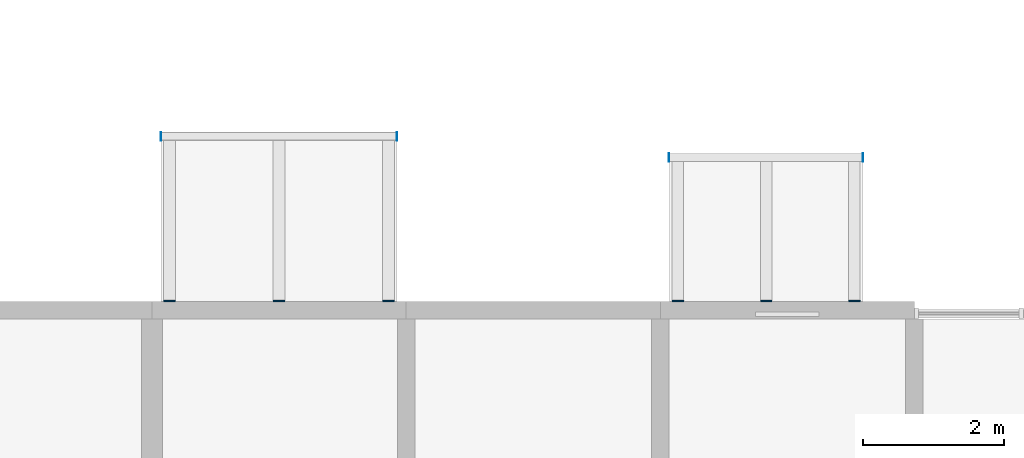
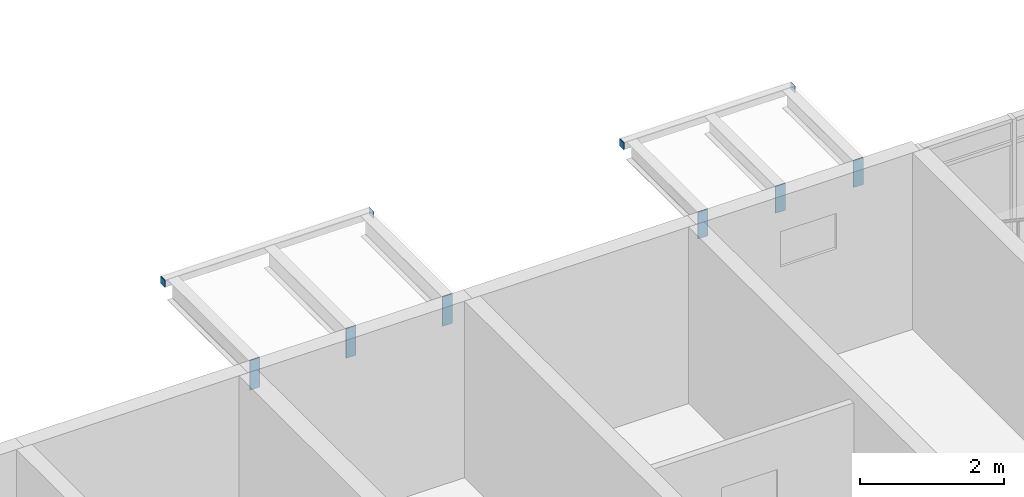
# One storey, part 89 of 122: 10 discrete accessories.
"""IFC4 building model written with IfcOpenShell, lengths in metres."""

from ifc_helpers import new_model, si_unit, direction, frame, origin, origin_2d, place, context, subcontext, project, spatial, rectangle, extrude, material, layer, layer_set, type_object, element, save


model = new_model("IFC4")

# Units and contexts
model_context = context("Model", 3, precision=1e-05, world=origin(), true_north=direction((0.0, 1.0)))
body_context = subcontext(model_context, "Body", "Model", "MODEL_VIEW")
ifc_project = project(units=[si_unit("LENGTHUNIT", "METRE"), si_unit("AREAUNIT", "SQUARE_METRE"), si_unit("VOLUMEUNIT", "CUBIC_METRE"), si_unit("PLANEANGLEUNIT", "RADIAN"), si_unit("MASSUNIT", "GRAM", prefix="KILO")], contexts=[model_context])

# Site, building, storey
site_placement = place(None, origin())
site = spatial("IfcSite", under=ifc_project, at=site_placement, CompositionType="ELEMENT")
building_placement = place(site_placement, origin())
building = spatial("IfcBuilding", under=site, at=building_placement, Name="Ridgestep Commons", CompositionType="ELEMENT")
storey_placement = place(building_placement, frame((0.0, 0.0, 3.0)))
storey = spatial("IfcBuildingStorey", under=building, at=storey_placement, Name="L01", CompositionType="ELEMENT", Elevation=3.0)

# Discrete accessories
ifc_material_1 = material(Name="Weathering steel S355J2W", Category="steel")
ifc_layer_1 = layer(ifc_material_1, 0.014892578125)
ifc_layer_set_1 = layer_set([ifc_layer_1], Name="Tray bracket plate 15")
discrete_accessory_type_1 = type_object("IfcDiscreteAccessoryType", Name="Tray bracket plate 15", PredefinedType="BRACKET", material=ifc_layer_set_1)
for number, where, z_axis, x_axis, name in (
    (1, (62.64990234375, 23.007568359375, 2.488525390625), (0.0, 0.0, 1.0), (1.0, 0.0, 0.0), "Tray bracket A4T1-02.1"),
    (2, (64.199951171875, 23.007568359375, 2.488525390625), (0.0, 0.0, 1.0), (1.0, 0.0, 0.0), "Tray bracket A4T1-02.2"),
    (3, (65.75, 23.007568359375, 2.488525390625), (0.0, 0.0, 1.0), (1.0, 0.0, 0.0), "Tray bracket A4T1-02.3"),
):
    element("IfcDiscreteAccessory", number, at=place(storey_placement, frame(where, z_axis=z_axis, x_axis=x_axis)), inside=storey, type_object=discrete_accessory_type_1, Name=name, PredefinedType="BRACKET", context=body_context, shape_type="SweptSolid", body=[
        extrude(rectangle(XDim=0.159912109375, YDim=0.014892578125, at=origin_2d()), origin(), (0.0, 0.0, 1.0), 0.50146484375),
    ])
for number, where, z_axis, x_axis, name in (
    (4, (69.85009765625, 23.007568359375, 2.53662109375), (0.0, 0.0, 1.0), (1.0, 0.0, 0.0), "Tray bracket A4T3-02.1"),
    (5, (71.10009765625, 23.007568359375, 2.53662109375), (0.0, 0.0, 1.0), (1.0, 0.0, 0.0), "Tray bracket A4T3-02.2"),
    (6, (72.35009765625, 23.007568359375, 2.53662109375), (0.0, 0.0, 1.0), (1.0, 0.0, 0.0), "Tray bracket A4T3-02.3"),
):
    element("IfcDiscreteAccessory", number, at=place(storey_placement, frame(where, z_axis=z_axis, x_axis=x_axis)), inside=storey, type_object=discrete_accessory_type_1, Name=name, PredefinedType="BRACKET", context=body_context, shape_type="SweptSolid", body=[
        extrude(rectangle(XDim=0.159912109375, YDim=0.014892578125, at=origin_2d()), origin(), (0.0, 0.0, 1.0), 0.453369140625),
    ])
ifc_material_2 = material(Name="Weathering steel S355J2W", Category="steel")
ifc_layer_2 = layer(ifc_material_2, 0.008056640625)
ifc_layer_set_2 = layer_set([ifc_layer_2], Name="Tray edge member end plate 120 x 120 x 8")
discrete_accessory_type_2 = type_object("IfcDiscreteAccessoryType", Name="Tray edge member end plate 120 x 120 x 8", PredefinedType="BRACKET", material=ifc_layer_set_2)
for number, where, z_axis, x_axis, name in (
    (7, (62.52587890625, 25.340087890625, 2.869873046875), (0.0, 0.0, 1.0), (1.0, 0.0, 0.0), "Tray edge member end plate A4T1-02 west"),
    (8, (65.8740234375, 25.340087890625, 2.869873046875), (0.0, 0.0, 1.0), (1.0, 0.0, 0.0), "Tray edge member end plate A4T1-02 east"),
    (9, (69.72607421875, 25.0400390625, 2.869873046875), (0.0, 0.0, 1.0), (1.0, 0.0, 0.0), "Tray edge member end plate A4T3-02 west"),
    (10, (72.47412109375, 25.0400390625, 2.869873046875), (0.0, 0.0, 1.0), (1.0, 0.0, 0.0), "Tray edge member end plate A4T3-02 east"),
):
    element("IfcDiscreteAccessory", number, at=place(storey_placement, frame(where, z_axis=z_axis, x_axis=x_axis)), inside=storey, type_object=discrete_accessory_type_2, Name=name, PredefinedType="BRACKET", context=body_context, shape_type="SweptSolid", body=[
        extrude(rectangle(XDim=0.008056640625, YDim=0.1201171875, at=origin_2d()), origin(), (0.0, 0.0, 1.0), 0.1201171875),
    ])

save(model, "model.ifc")
